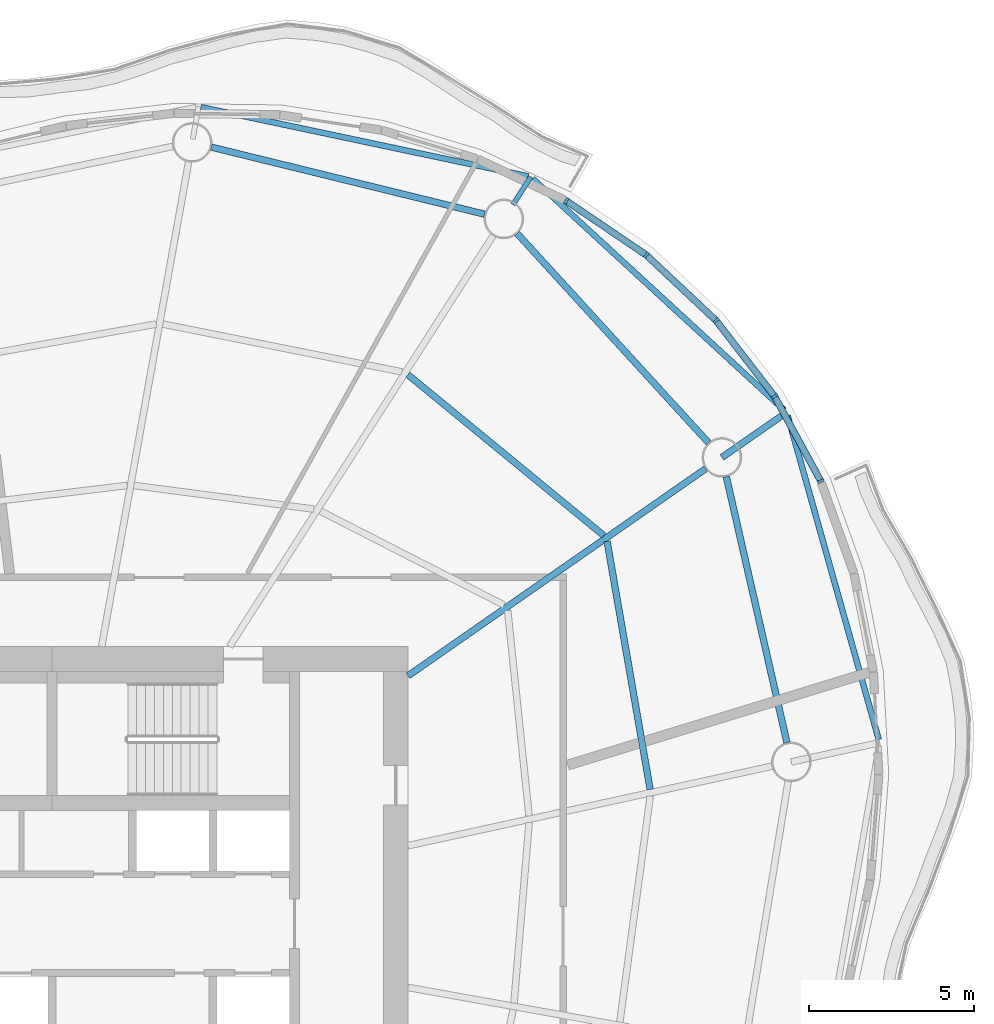
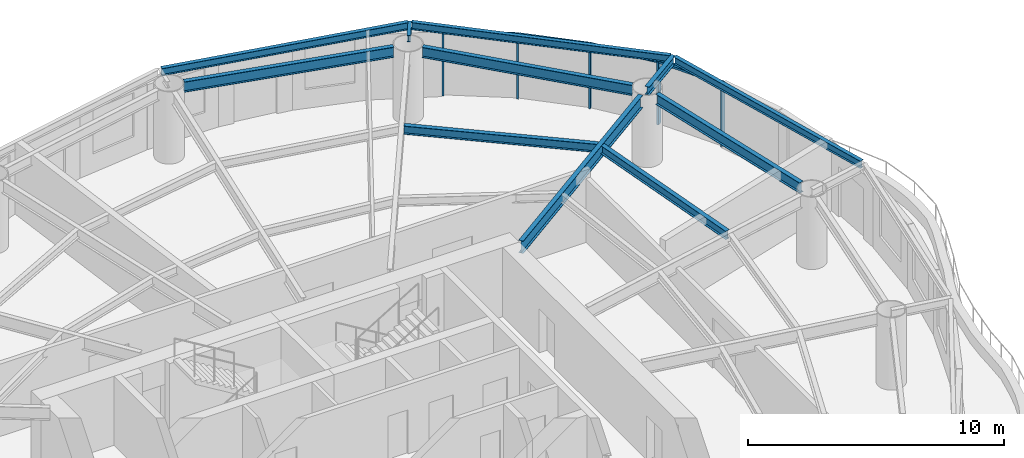
# One storey, part 6 of 14: 11 beams, 9 members, 4 elements without a shape of their own.
"""IFC4 building model written with IfcOpenShell, lengths in metres."""

from ifc_helpers import new_model, si_unit, direction, frame, origin, origin_2d, place, context, subcontext, project, spatial, rectangle, i_section, extrude, material, material_profile, profile_set, type_object, element, aggregate, save


model = new_model("IFC4")

# Units and contexts
model_context = context("Model", 3, precision=1e-05, world=origin(), true_north=direction((0.0, 1.0)))
body_context = subcontext(model_context, "Body", "Model", "MODEL_VIEW")
ifc_project = project(units=[si_unit("LENGTHUNIT", "METRE"), si_unit("AREAUNIT", "SQUARE_METRE"), si_unit("VOLUMEUNIT", "CUBIC_METRE"), si_unit("PLANEANGLEUNIT", "RADIAN"), si_unit("MASSUNIT", "GRAM", prefix="KILO")], contexts=[model_context])

# Site, building, storey
site_placement = place(None, origin())
site = spatial("IfcSite", under=ifc_project, at=site_placement, CompositionType="ELEMENT")
building_placement = place(site_placement, origin())
building = spatial("IfcBuilding", under=site, at=building_placement, Name="Vermilion Reach Broadcast Tower", CompositionType="ELEMENT")
storey_placement = place(building_placement, frame((0.0, 0.0, 202.89990234375)))
storey = spatial("IfcBuildingStorey", under=building, at=storey_placement, Name="L49", CompositionType="ELEMENT", Elevation=202.89990234375)

# Beams
ifc_material_1 = material(Name="Steel S355J2", Category="steel")
ifc_material_profile_1 = material_profile(ifc_material_1, i_section(OverallWidth=0.175048828125, OverallDepth=0.35009765625, WebThickness=0.007080078125, FlangeThickness=0.010986328125, at=origin_2d()), Name="S355J2 HN 350x175x7x11")
ifc_profile_set_1 = profile_set([ifc_material_profile_1], Name="Steel S355J2")
beam_type_1 = type_object("IfcBeamType", Name="EB4 HN 350x175x7x11", PredefinedType="BEAM", material=ifc_profile_set_1)
beam_1_placement = place(storey_placement, frame((8.443359375, 22.662841796875, 3.275146484375), z_axis=(-0.978373498424, 0.206846072193, 0.0), x_axis=(-0.206846072193, -0.978373498424, 0.0)))
element("IfcBeam", 1, at=beam_1_placement, inside=storey, type_object=beam_type_1, Name="Edge beam EB4-01", PredefinedType="BEAM", context=body_context, shape_type="SweptSolid", body=[
    extrude(i_section(OverallWidth=0.175048828125, OverallDepth=0.35009765625, WebThickness=0.007080078125, FlangeThickness=0.010986328125, at=origin_2d()), origin(), (0.0, 0.0, 1.0), 10.144775390625),
])
beam_2_placement = place(storey_placement, frame((19.07421875, 5.583251953125, 3.275146484375), z_axis=(-0.270837066362, 0.962625204056, 0.0), x_axis=(-0.962625204056, -0.270837066362, 0.0)))
element("IfcBeam", 2, at=beam_2_placement, inside=storey, type_object=beam_type_1, Name="Edge beam EB4-15", PredefinedType="BEAM", context=body_context, shape_type="SweptSolid", body=[
    extrude(i_section(OverallWidth=0.175048828125, OverallDepth=0.35009765625, WebThickness=0.007080078125, FlangeThickness=0.010986328125, at=origin_2d()), origin(), (0.0, 0.0, 1.0), 10.20068359375),
])
beam_3_placement = place(storey_placement, frame((16.20751953125, 15.57373046875, 3.275146484375), z_axis=(-0.735847940959, 0.677146814057, 0.0), x_axis=(-0.677146814057, -0.735847940959, 0.0)))
element("IfcBeam", 3, at=beam_3_placement, inside=storey, type_object=beam_type_1, Name="Edge beam EB4-16", PredefinedType="BEAM", context=body_context, shape_type="SweptSolid", body=[
    extrude(i_section(OverallWidth=0.175048828125, OverallDepth=0.35009765625, WebThickness=0.007080078125, FlangeThickness=0.010986328125, at=origin_2d()), origin(), (0.0, 0.0, 1.0), 10.368408203125),
])
ifc_material_2 = material(Name="Steel S355J2", Category="steel")
ifc_material_profile_2 = material_profile(ifc_material_2, i_section(OverallWidth=0.199951171875, OverallDepth=0.60009765625, WebThickness=0.010986328125, FlangeThickness=0.01708984375, at=origin_2d()), Name="S355J2 HN 600x200x11x17")
ifc_profile_set_2 = profile_set([ifc_material_profile_2], Name="Steel S355J2")
beam_type_2 = type_object("IfcBeamType", Name="G4 HN 600x200x11x17", PredefinedType="BEAM", material=ifc_profile_set_2)
beam_4_placement = place(storey_placement, frame((4.800048828125, 7.5146484375, 3.150146484375), z_axis=(0.820848627818, 0.571145804684, 0.0), x_axis=(-0.571145804684, 0.820848627818, 0.0)))
element("IfcBeam", 4, at=beam_4_placement, inside=storey, type_object=beam_type_2, Name="Girder G4-16", PredefinedType="BEAM", context=body_context, shape_type="SweptSolid", body=[
    extrude(i_section(OverallWidth=0.199951171875, OverallDepth=0.60009765625, WebThickness=0.010986328125, FlangeThickness=0.01708984375, at=origin_2d()), origin(), (0.0, 0.0, 1.0), 10.99560546875),
])
ifc_material_3 = material(Name="Steel S355J2", Category="steel")
ifc_material_profile_3 = material_profile(ifc_material_3, i_section(OverallWidth=0.199951171875, OverallDepth=0.39990234375, WebThickness=0.008056640625, FlangeThickness=0.012939453125, at=origin_2d()), Name="S355J2 HN 400x200x8x13")
ifc_profile_set_3 = profile_set([ifc_material_profile_3], Name="Steel S355J2")
beam_type_3 = type_object("IfcBeamType", Name="GC4 HN 400x200x8x13", PredefinedType="BEAM", material=ifc_profile_set_3)
beam_5_placement = place(storey_placement, frame((14.318115234375, 14.13720703125, 3.25), z_axis=(0.820838673473, 0.571160110767, 0.0), x_axis=(-0.571160110767, 0.820838673473, 0.0)))
element("IfcBeam", 5, at=beam_5_placement, inside=storey, type_object=beam_type_3, Name="Cantilever girder GC4-16", PredefinedType="BEAM", context=body_context, shape_type="SweptSolid", body=[
    extrude(i_section(OverallWidth=0.199951171875, OverallDepth=0.39990234375, WebThickness=0.008056640625, FlangeThickness=0.012939453125, at=origin_2d()), origin(), (0.0, 0.0, 1.0), 2.393798828125),
])
ifc_material_4 = material(Name="Steel S355J2", Category="steel")
ifc_material_profile_4 = material_profile(ifc_material_4, i_section(OverallWidth=0.14990234375, OverallDepth=0.300048828125, WebThickness=0.006591796875, FlangeThickness=0.009033203125, at=origin_2d()), Name="S355J2 HN 300x150x6.5x9")
ifc_profile_set_4 = profile_set([ifc_material_profile_4], Name="Steel S355J2")
beam_type_4 = type_object("IfcBeamType", Name="GS4 HN 300x150x6.5x9", PredefinedType="BEAM", material=ifc_profile_set_4)
beam_6_placement = place(storey_placement, frame((7.982177734375, 21.804443359375, 3.300048828125), z_axis=(0.539794777091, 0.841796649213, 0.0), x_axis=(-0.841796649213, 0.539794777091, 0.0)))
element("IfcBeam", 6, at=beam_6_placement, inside=storey, type_object=beam_type_4, Name="Cantilever stub GS4-01", PredefinedType="BEAM", context=body_context, shape_type="SweptSolid", body=[
    extrude(i_section(OverallWidth=0.14990234375, OverallDepth=0.300048828125, WebThickness=0.006591796875, FlangeThickness=0.009033203125, at=origin_2d()), origin(), (0.0, 0.0, 1.0), 1.0),
])
ifc_material_5 = material(Name="Steel S355J2", Category="steel")
ifc_material_profile_5 = material_profile(ifc_material_5, i_section(OverallWidth=0.199951171875, OverallDepth=0.5, WebThickness=0.010009765625, FlangeThickness=0.01611328125, at=origin_2d()), Name="S355J2 HN 500x200x10x16")
ifc_profile_set_5 = profile_set([ifc_material_profile_5], Name="Steel S355J2")
beam_type_5 = type_object("IfcBeamType", Name="RB4 HN 500x200x10x16", PredefinedType="BEAM", material=ifc_profile_set_5)
beam_7_placement = place(storey_placement, frame((7.120849609375, 21.51318359375, 3.2001953125), z_axis=(-0.971158622271, 0.238434331398, 0.0), x_axis=(-0.238434331398, -0.971158622271, 0.0)))
element("IfcBeam", 7, at=beam_7_placement, inside=storey, type_object=beam_type_5, Name="Ring beam RB4-01", PredefinedType="BEAM", context=body_context, shape_type="SweptSolid", body=[
    extrude(i_section(OverallWidth=0.199951171875, OverallDepth=0.5, WebThickness=0.010009765625, FlangeThickness=0.01611328125, at=origin_2d()), origin(), (0.0, 0.0, 1.0), 8.534423828125),
])
beam_8_placement = place(storey_placement, frame((16.290283203125, 5.486572265625, 3.2001953125), z_axis=(-0.222283068275, 0.974982172944, 0.0), x_axis=(-0.974982172944, -0.222283068275, 0.0)))
element("IfcBeam", 8, at=beam_8_placement, inside=storey, type_object=beam_type_5, Name="Ring beam RB4-15", PredefinedType="BEAM", context=body_context, shape_type="SweptSolid", body=[
    extrude(i_section(OverallWidth=0.199951171875, OverallDepth=0.5, WebThickness=0.010009765625, FlangeThickness=0.01611328125, at=origin_2d()), origin(), (0.0, 0.0, 1.0), 8.272705078125),
])
beam_9_placement = place(storey_placement, frame((13.9130859375, 14.580078125, 3.2001953125), z_axis=(-0.674868141417, 0.737938338684, 0.0), x_axis=(-0.737938338684, -0.674868141417, 0.0)))
element("IfcBeam", 9, at=beam_9_placement, inside=storey, type_object=beam_type_5, Name="Ring beam RB4-16", PredefinedType="BEAM", context=body_context, shape_type="SweptSolid", body=[
    extrude(i_section(OverallWidth=0.199951171875, OverallDepth=0.5, WebThickness=0.010009765625, FlangeThickness=0.01611328125, at=origin_2d()), origin(), (0.0, 0.0, 1.0), 8.601318359375),
])
ifc_material_6 = material(Name="Steel S355J2", Category="steel")
ifc_material_profile_6 = material_profile(ifc_material_6, i_section(OverallWidth=0.199951171875, OverallDepth=0.39990234375, WebThickness=0.008056640625, FlangeThickness=0.012939453125, at=origin_2d()), Name="S355J2 HN 400x200x8x13")
ifc_profile_set_6 = profile_set([ifc_material_profile_6], Name="Steel S355J2")
beam_type_6 = type_object("IfcBeamType", Name="SB4 HN 400x200x8x13", PredefinedType="BEAM", material=ifc_profile_set_6)
beam_10_placement = place(storey_placement, frame((12.141357421875, 4.067626953125, 3.25), z_axis=(-0.170926997669, 0.985283695931, 0.0), x_axis=(-0.985283695931, -0.170926997669, 0.0)))
element("IfcBeam", 10, at=beam_10_placement, inside=storey, type_object=beam_type_6, Name="Secondary beam SB4-15-2", PredefinedType="BEAM", context=body_context, shape_type="SweptSolid", body=[
    extrude(i_section(OverallWidth=0.199951171875, OverallDepth=0.39990234375, WebThickness=0.008056640625, FlangeThickness=0.012939453125, at=origin_2d()), origin(), (0.0, 0.0, 1.0), 7.63720703125),
])
beam_11_placement = place(storey_placement, frame((10.73681640625, 11.76708984375, 3.25), z_axis=(-0.772952000494, 0.6344645025, 0.0), x_axis=(-0.6344645025, -0.772952000494, 0.0)))
element("IfcBeam", 11, at=beam_11_placement, inside=storey, type_object=beam_type_6, Name="Secondary beam SB4-16-2", PredefinedType="BEAM", context=body_context, shape_type="SweptSolid", body=[
    extrude(i_section(OverallWidth=0.199951171875, OverallDepth=0.39990234375, WebThickness=0.008056640625, FlangeThickness=0.012939453125, at=origin_2d()), origin(), (0.0, 0.0, 1.0), 7.689697265625),
])

# Curtain wall, member
ifc_material_7 = material(Name="Low-e laminated clear glass in aluminium frame", Category="aluminium")
curtain_wall_type = type_object("IfcCurtainWallType", Name="Slot curtain wall", PredefinedType="NOTDEFINED", material=ifc_material_7)
placement = place(storey_placement, origin())
curtain_wall_1 = element("IfcCurtainWall", 12, at=placement, inside=storey, type_object=curtain_wall_type, Name="Slot curtain wall L49 46", PredefinedType="NOTDEFINED")
ifc_material_8 = material(Name="Anodised aluminium", Category="aluminium")
ifc_material_profile_7 = material_profile(ifc_material_8, rectangle(XDim=0.199951171875, YDim=0.080078125, at=origin_2d()), Name="Slot mullion 80 x 200")
ifc_profile_set_7 = profile_set([ifc_material_profile_7], Name="Anodised aluminium")
member_type_1 = type_object("IfcMemberType", Name="Slot mullion 80 x 200", PredefinedType="MULLION", material=ifc_profile_set_7)
member_1_placement = place(storey_placement, frame((17.31640625, 13.418212890625, 0.0), z_axis=(0.0, 0.0, 1.0), x_axis=(-0.91235930475, -0.409390399297, 0.0)))
member_1 = element("IfcMember", 13, at=member_1_placement, type_object=member_type_1, Name="Slot mullion L49 46", PredefinedType="MULLION", context=body_context, shape_type="SweptSolid", body=[
    extrude(rectangle(XDim=0.199951171875, YDim=0.080078125, at=origin_2d()), origin(), (0.0, 0.0, 1.0), 3.050048828125),
])

curtain_wall_2 = element("IfcCurtainWall", 14, at=placement, inside=storey, type_object=curtain_wall_type, Name="Slot curtain wall L49 47", PredefinedType="NOTDEFINED")
member_2_placement = place(storey_placement, frame((15.914794921875, 15.989501953125, 0.0), z_axis=(0.0, 0.0, 1.0), x_axis=(-0.83742200828, -0.546556840638, 0.0)))
member_2 = element("IfcMember", 15, at=member_2_placement, type_object=member_type_1, Name="Slot mullion L49 47", PredefinedType="MULLION", context=body_context, shape_type="SweptSolid", body=[
    extrude(rectangle(XDim=0.199951171875, YDim=0.080078125, at=origin_2d()), origin(), (0.0, 0.0, 1.0), 3.050048828125),
])

curtain_wall_3 = element("IfcCurtainWall", 16, at=placement, inside=storey, type_object=curtain_wall_type, Name="Slot curtain wall L49 00", PredefinedType="NOTDEFINED")
member_3_placement = place(storey_placement, frame((14.140625, 18.287841796875, 0.0), z_axis=(0.0, 0.0, 1.0), x_axis=(-0.74033542148, -0.672237654183, 0.0)))
member_3 = element("IfcMember", 17, at=member_3_placement, type_object=member_type_1, Name="Slot mullion L49 00", PredefinedType="MULLION", context=body_context, shape_type="SweptSolid", body=[
    extrude(rectangle(XDim=0.199951171875, YDim=0.080078125, at=origin_2d()), origin(), (0.0, 0.0, 1.0), 3.050048828125),
])

# Curtain wall, members
curtain_wall_4 = element("IfcCurtainWall", 18, at=placement, inside=storey, type_object=curtain_wall_type, Name="Slot curtain wall L49 01", PredefinedType="NOTDEFINED")
member_4_placement = place(storey_placement, frame((12.0234375, 20.275146484375, 0.0), z_axis=(0.0, 0.0, 1.0), x_axis=(-0.624576487819, -0.780963642472, 0.0)))
member_4 = element("IfcMember", 19, at=member_4_placement, type_object=member_type_1, Name="Slot mullion L49 01", PredefinedType="MULLION", context=body_context, shape_type="SweptSolid", body=[
    extrude(rectangle(XDim=0.199951171875, YDim=0.080078125, at=origin_2d()), origin(), (0.0, 0.0, 1.0), 3.050048828125),
])
member_5_placement = place(storey_placement, frame((9.598876953125, 21.91748046875, 0.0), z_axis=(0.0, 0.0, 1.0), x_axis=(-0.495254747981, -0.868747796891, 0.0)))
member_5 = element("IfcMember", 20, at=member_5_placement, type_object=member_type_1, Name="Slot mullion L49 02", PredefinedType="MULLION", context=body_context, shape_type="SweptSolid", body=[
    extrude(rectangle(XDim=0.199951171875, YDim=0.080078125, at=origin_2d()), origin(), (0.0, 0.0, 1.0), 3.050048828125),
])

# Member
ifc_material_9 = material(Name="Anodised aluminium", Category="aluminium")
ifc_material_profile_8 = material_profile(ifc_material_9, rectangle(XDim=0.199951171875, YDim=0.10009765625, at=origin_2d()), Name="Slot transom 200 x 100")
ifc_profile_set_8 = profile_set([ifc_material_profile_8], Name="Anodised aluminium")
member_type_2 = type_object("IfcMemberType", Name="Slot transom 200 x 100", PredefinedType="USERDEFINED", material=ifc_profile_set_8)
member_6_placement = place(storey_placement, frame((17.29736328125, 13.453369140625, 3.0), z_axis=(-0.478677976143, 0.877990543887, 0.0), x_axis=(-0.877990543887, -0.478677976143, 0.0)))
member_6 = element("IfcMember", 21, at=member_6_placement, type_object=member_type_2, Name="Slot transom L49 46.1", ObjectType="TRANSOM", PredefinedType="USERDEFINED", context=body_context, shape_type="SweptSolid", body=[
    extrude(rectangle(XDim=0.199951171875, YDim=0.10009765625, at=origin_2d()), origin(), (0.0, 0.0, 1.0), 2.8486328125),
])

aggregate(curtain_wall_1, [member_1, member_6])

member_7_placement = place(storey_placement, frame((15.890380859375, 16.021240234375, 3.0), z_axis=(-0.611051227057, 0.79159105472, 0.0), x_axis=(-0.79159105472, -0.611051227057, 0.0)))
member_7 = element("IfcMember", 22, at=member_7_placement, type_object=member_type_2, Name="Slot transom L49 47.1", ObjectType="TRANSOM", PredefinedType="USERDEFINED", context=body_context, shape_type="SweptSolid", body=[
    extrude(rectangle(XDim=0.199951171875, YDim=0.10009765625, at=origin_2d()), origin(), (0.0, 0.0, 1.0), 2.823486328125),
])

aggregate(curtain_wall_2, [member_2, member_7])

member_8_placement = place(storey_placement, frame((14.111328125, 18.315185546875, 3.0), z_axis=(-0.72910561342, 0.684401201401, 0.0), x_axis=(-0.684401201401, -0.72910561342, 0.0)))
member_8 = element("IfcMember", 23, at=member_8_placement, type_object=member_type_2, Name="Slot transom L49 00.1", ObjectType="TRANSOM", PredefinedType="USERDEFINED", context=body_context, shape_type="SweptSolid", body=[
    extrude(rectangle(XDim=0.199951171875, YDim=0.10009765625, at=origin_2d()), origin(), (0.0, 0.0, 1.0), 2.823486328125),
])

aggregate(curtain_wall_3, [member_3, member_8])

member_9_placement = place(storey_placement, frame((11.990234375, 20.29736328125, 3.0), z_axis=(-0.827886593202, 0.560895523958, 0.0), x_axis=(-0.560895523958, -0.827886593202, 0.0)))
member_9 = element("IfcMember", 24, at=member_9_placement, type_object=member_type_2, Name="Slot transom L49 01.1", ObjectType="TRANSOM", PredefinedType="USERDEFINED", context=body_context, shape_type="SweptSolid", body=[
    extrude(rectangle(XDim=0.199951171875, YDim=0.10009765625, at=origin_2d()), origin(), (0.0, 0.0, 1.0), 2.848388671875),
])

aggregate(curtain_wall_4, [member_4, member_5, member_9])

save(model, "model.ifc")
